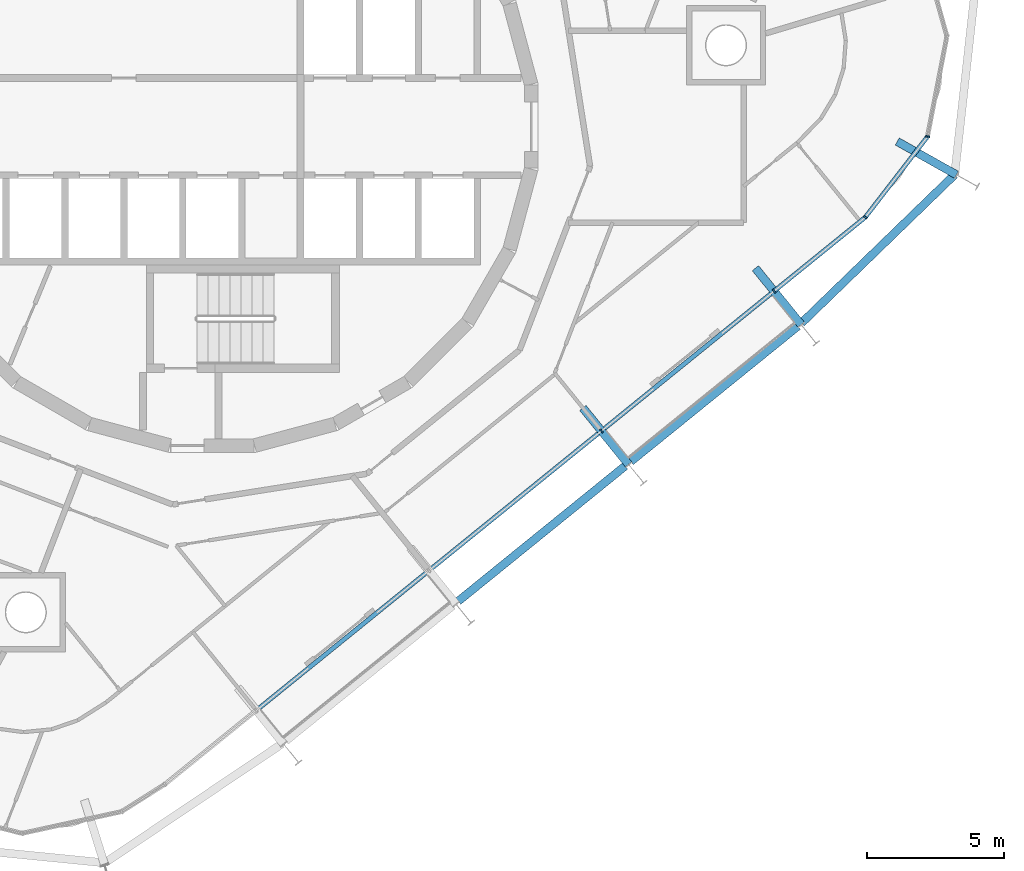
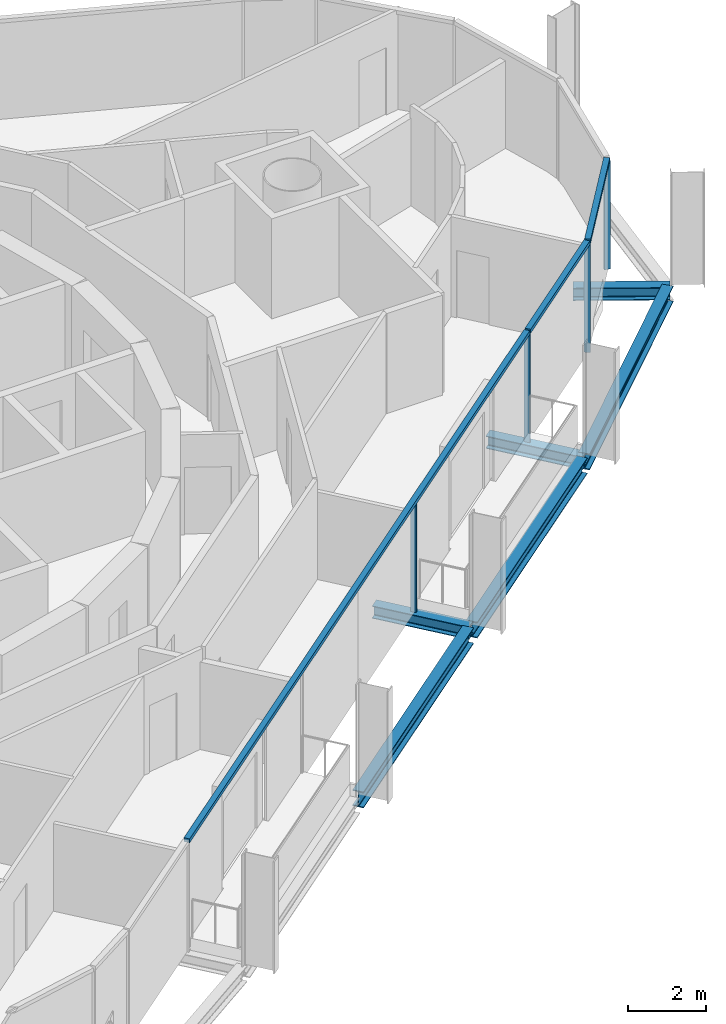
# One storey, part 4 of 17: 7 members, 6 beams, 2 elements without a shape of their own.
"""IFC4 building model written with IfcOpenShell, lengths in metres."""

from ifc_helpers import new_model, si_unit, direction, frame, origin, origin_2d, place, context, subcontext, project, spatial, rectangle, i_section, extrude, material, layer, layer_set, material_profile, profile_set, type_object, element, aggregate, save


model = new_model("IFC4")

# Units and contexts
model_context = context("Model", 3, precision=1e-05, world=origin(), true_north=direction((0.0, 1.0)))
body_context = subcontext(model_context, "Body", "Model", "MODEL_VIEW")
ifc_project = project(units=[si_unit("LENGTHUNIT", "METRE"), si_unit("AREAUNIT", "SQUARE_METRE"), si_unit("VOLUMEUNIT", "CUBIC_METRE"), si_unit("PLANEANGLEUNIT", "RADIAN"), si_unit("MASSUNIT", "GRAM", prefix="KILO")], contexts=[model_context])

# Site, building, storey
site_placement = place(None, origin())
site = spatial("IfcSite", under=ifc_project, at=site_placement, CompositionType="ELEMENT")
building_placement = place(site_placement, origin())
building = spatial("IfcBuilding", under=site, at=building_placement, Name="Spindle Arch Residences", CompositionType="ELEMENT")
storey_placement = place(building_placement, frame((0.0, 0.0, 270.39990234375)))
storey = spatial("IfcBuildingStorey", under=building, at=storey_placement, Name="L69", CompositionType="ELEMENT", Elevation=270.39990234375)

# Curtain wall, members
ifc_material_1 = material(Name="Aluminium bronze unitised frame with tinted glass", Category="aluminium")
ifc_layer_1 = layer(ifc_material_1, 0.159912109375)
ifc_layer_set_1 = layer_set([ifc_layer_1], Name="CW-D corner wall on the fillet arcs")
curtain_wall_type_1 = type_object("IfcCurtainWallType", Name="CW-D corner wall on the fillet arcs", PredefinedType="NOTDEFINED", material=ifc_layer_set_1)
curtain_wall_1_placement = place(storey_placement, origin())
curtain_wall_1 = element("IfcCurtainWall", 1, at=curtain_wall_1_placement, inside=storey, type_object=curtain_wall_type_1, Name="CW-D L69 run 1", PredefinedType="NOTDEFINED")
ifc_material_2 = material(Name="Aluminium bronze anodised mullion", Category="aluminium")
ifc_material_profile_1 = material_profile(ifc_material_2, rectangle(XDim=0.159912109375, YDim=0.06005859375, at=origin_2d()), Name="MU 60x160")
ifc_profile_set_1 = profile_set([ifc_material_profile_1], Name="Aluminium bronze anodised mullion")
member_type_1 = type_object("IfcMemberType", Name="Bronze mullion 60x160", PredefinedType="MULLION", material=ifc_profile_set_1)
member_1_placement = place(storey_placement, frame((20.512451171875, -6.006103515625, -0.3798828125), z_axis=(0.0, 0.0, 1.0), x_axis=(-0.62932039105, 0.777145961457, 0.0)))
member_1 = element("IfcMember", 2, at=member_1_placement, type_object=member_type_1, Name="CW-D mullion 00", PredefinedType="MULLION", context=body_context, shape_type="SweptSolid", body=[
    extrude(rectangle(XDim=0.159912109375, YDim=0.06005859375, at=origin_2d()), origin(), (0.0, 0.0, 1.0), 3.3798828125),
])
member_2_placement = place(storey_placement, frame((23.84423828125, -3.30810546875, -0.3798828125), z_axis=(0.0, 0.0, 1.0), x_axis=(-0.791579170105, 0.611066622764, 0.0)))
member_2 = element("IfcMember", 3, at=member_2_placement, type_object=member_type_1, Name="CW-D mullion 01", PredefinedType="MULLION", context=body_context, shape_type="SweptSolid", body=[
    extrude(rectangle(XDim=0.159912109375, YDim=0.06005859375, at=origin_2d()), origin(), (0.0, 0.0, 1.0), 3.3798828125),
])
member_3_placement = place(storey_placement, frame((26.12158203125, -0.358154296875, -0.3798828125), z_axis=(0.0, 0.0, 1.0), x_axis=(-0.981627183558, 0.190808994811, 0.0)))
member_3 = element("IfcMember", 4, at=member_3_placement, type_object=member_type_1, Name="CW-D mullion 02", PredefinedType="MULLION", context=body_context, shape_type="SweptSolid", body=[
    extrude(rectangle(XDim=0.159912109375, YDim=0.06005859375, at=origin_2d()), origin(), (0.0, 0.0, 1.0), 3.3798828125),
])

# Curtain wall, member
ifc_material_3 = material(Name="Aluminium bronze unitised frame with tinted glass", Category="aluminium")
ifc_layer_2 = layer(ifc_material_3, 0.159912109375)
ifc_layer_set_2 = layer_set([ifc_layer_2], Name="CW-C typical residential unitised wall")
curtain_wall_type_2 = type_object("IfcCurtainWallType", Name="CW-C typical residential unitised wall", PredefinedType="NOTDEFINED", material=ifc_layer_set_2)
curtain_wall_2_placement = place(storey_placement, origin())
curtain_wall_2 = element("IfcCurtainWall", 5, at=curtain_wall_2_placement, inside=storey, type_object=curtain_wall_type_2, Name="CW-C L69 run 6", PredefinedType="NOTDEFINED")
member_4_placement = place(storey_placement, frame((14.211669921875, -11.1083984375, -0.3798828125), z_axis=(0.0, 0.0, 1.0), x_axis=(-0.62932039105, 0.777145961457, 0.0)))
member_4 = element("IfcMember", 6, at=member_4_placement, type_object=member_type_1, Name="CW-C mullion 00", PredefinedType="MULLION", context=body_context, shape_type="SweptSolid", body=[
    extrude(rectangle(XDim=0.159912109375, YDim=0.06005859375, at=origin_2d()), origin(), (0.0, 0.0, 1.0), 3.3798828125),
])

# Member
ifc_material_4 = material(Name="Aluminium bronze anodised transom", Category="aluminium")
ifc_material_profile_2 = material_profile(ifc_material_4, rectangle(XDim=0.159912109375, YDim=0.1201171875, at=origin_2d()), Name="TR 120x160")
ifc_profile_set_2 = profile_set([ifc_material_profile_2], Name="Aluminium bronze anodised transom")
member_type_2 = type_object("IfcMemberType", Name="Bronze transom 120x160", PredefinedType="USERDEFINED", material=ifc_profile_set_2)
member_5_placement = place(storey_placement, frame((20.535888671875, -5.9873046875, 3.06005859375), z_axis=(0.777158783918, 0.6293045563, 0.0), x_axis=(-0.6293045563, 0.777158783918, 0.0)))
member_5 = element("IfcMember", 7, at=member_5_placement, type_object=member_type_2, Name="CW-D transom 00", ObjectType="TRANSOM", PredefinedType="USERDEFINED", context=body_context, shape_type="SweptSolid", body=[
    extrude(rectangle(XDim=0.159912109375, YDim=0.1201171875, at=origin_2d()), origin(), (0.0, 0.0, 1.0), 4.22705078125),
])

member_6_placement = place(storey_placement, frame((23.862548828125, -3.284423828125, 3.06005859375), z_axis=(0.611074135379, 0.791573370617, 0.0), x_axis=(-0.791573370617, 0.611074135379, 0.0)))
member_6 = element("IfcMember", 8, at=member_6_placement, type_object=member_type_2, Name="CW-D transom 01", ObjectType="TRANSOM", PredefinedType="USERDEFINED", context=body_context, shape_type="SweptSolid", body=[
    extrude(rectangle(XDim=0.159912109375, YDim=0.1201171875, at=origin_2d()), origin(), (0.0, 0.0, 1.0), 3.666748046875),
])

aggregate(curtain_wall_1, [member_1, member_5, member_2, member_6, member_3])

member_7_placement = place(storey_placement, frame((1.633544921875, -21.294189453125, 3.06005859375), z_axis=(0.777146208679, 0.629320085756, 0.0), x_axis=(-0.629320085756, 0.777146208679, 0.0)))
member_7 = element("IfcMember", 9, at=member_7_placement, type_object=member_type_2, Name="CW-C transom 00", ObjectType="TRANSOM", PredefinedType="USERDEFINED", context=body_context, shape_type="SweptSolid", body=[
    extrude(rectangle(XDim=0.159912109375, YDim=0.1201171875, at=origin_2d()), origin(), (0.0, 0.0, 1.0), 24.2626953125),
])

aggregate(curtain_wall_2, [member_7, member_4])

# Beams
ifc_material_5 = material(Name="Steel S460ML, intumescent coating R 120", Category="steel")
ifc_material_profile_3 = material_profile(ifc_material_5, i_section(OverallWidth=0.300048828125, OverallDepth=0.5, WebThickness=0.014404296875, FlangeThickness=0.028076171875, FilletRadius=0.027099609375, at=origin_2d()), Name="HEB 500")
ifc_profile_set_3 = profile_set([ifc_material_profile_3], Name="Steel S460ML, intumescent coating R 120")
beam_type_1 = type_object("IfcBeamType", Name="Exoskeleton edge beam HEB 500", PredefinedType="BEAM", material=ifc_profile_set_3)
beam_1_placement = place(storey_placement, frame((15.281982421875, -12.223388671875, -0.6298828125), z_axis=(0.777152125993, 0.629312778406, 0.0), x_axis=(-0.629312778406, 0.777152125993, 0.0)))
element("IfcBeam", 10, at=beam_1_placement, inside=storey, type_object=beam_type_1, Name="Exoskeleton edge beam 1", PredefinedType="BEAM", context=body_context, shape_type="SweptSolid", body=[
    extrude(i_section(OverallWidth=0.300048828125, OverallDepth=0.5, WebThickness=0.014404296875, FlangeThickness=0.028076171875, FilletRadius=0.027099609375, at=origin_2d()), origin(), (0.0, 0.0, 1.0), 7.847412109375),
])
beam_2_placement = place(storey_placement, frame((21.51025390625, -7.176025390625, -0.6298828125), z_axis=(0.718254418366, 0.695780562029, 0.0), x_axis=(-0.695780562029, 0.718254418366, 0.0)))
element("IfcBeam", 11, at=beam_2_placement, inside=storey, type_object=beam_type_1, Name="Exoskeleton edge beam 2", PredefinedType="BEAM", context=body_context, shape_type="SweptSolid", body=[
    extrude(i_section(OverallWidth=0.300048828125, OverallDepth=0.5, WebThickness=0.014404296875, FlangeThickness=0.028076171875, FilletRadius=0.027099609375, at=origin_2d()), origin(), (0.0, 0.0, 1.0), 7.7890625),
])
beam_3_placement = place(storey_placement, frame((8.981201171875, -17.32568359375, -0.6298828125), z_axis=(0.777152125993, 0.629312778406, 0.0), x_axis=(-0.629312778406, 0.777152125993, 0.0)))
element("IfcBeam", 12, at=beam_3_placement, inside=storey, type_object=beam_type_1, Name="Exoskeleton edge beam 20", PredefinedType="BEAM", context=body_context, shape_type="SweptSolid", body=[
    extrude(i_section(OverallWidth=0.300048828125, OverallDepth=0.5, WebThickness=0.014404296875, FlangeThickness=0.028076171875, FilletRadius=0.027099609375, at=origin_2d()), origin(), (0.0, 0.0, 1.0), 7.847412109375),
])
ifc_material_6 = material(Name="Steel S460ML, intumescent coating R 120", Category="steel")
ifc_material_profile_4 = material_profile(ifc_material_6, i_section(OverallWidth=0.300048828125, OverallDepth=0.389892578125, WebThickness=0.010986328125, FlangeThickness=0.01904296875, FilletRadius=0.027099609375, at=origin_2d()), Name="HEA 400")
ifc_profile_set_4 = profile_set([ifc_material_profile_4], Name="Steel S460ML, intumescent coating R 120")
beam_type_2 = type_object("IfcBeamType", Name="Floor outrigger HEA 400", PredefinedType="BEAM", material=ifc_profile_set_4)
for number, where, z_axis, x_axis, name in (
    (13, (15.19970703125, -12.32861328125, -0.574951171875), (-0.629301579077, 0.777161194715, 0.0), (-0.777161194715, -0.629301579077, 0.0), "Floor outrigger 1"),
    (14, (21.50048828125, -7.226318359375, -0.574951171875), (-0.629301579077, 0.777161194715, 0.0), (-0.777161194715, -0.629301579077, 0.0), "Floor outrigger 2"),
):
    element("IfcBeam", number, at=place(storey_placement, frame(where, z_axis=z_axis, x_axis=x_axis)), inside=storey, type_object=beam_type_2, Name=name, PredefinedType="BEAM", context=body_context, shape_type="SweptSolid", body=[
        extrude(i_section(OverallWidth=0.300048828125, OverallDepth=0.389892578125, WebThickness=0.010986328125, FlangeThickness=0.01904296875, FilletRadius=0.027099609375, at=origin_2d()), origin(), (0.0, 0.0, 1.0), 2.650146484375),
    ])
beam_4_placement = place(storey_placement, frame((27.172607421875, -1.75537109375, -0.574951171875), z_axis=(-0.871838442856, 0.489793558102, 0.0), x_axis=(-0.489793558102, -0.871838442856, 0.0)))
element("IfcBeam", 15, at=beam_4_placement, inside=storey, type_object=beam_type_2, Name="Floor outrigger 3", PredefinedType="BEAM", context=body_context, shape_type="SweptSolid", body=[
    extrude(i_section(OverallWidth=0.300048828125, OverallDepth=0.389892578125, WebThickness=0.010986328125, FlangeThickness=0.01904296875, FilletRadius=0.027099609375, at=origin_2d()), origin(), (0.0, 0.0, 1.0), 2.478759765625),
])

save(model, "model.ifc")
